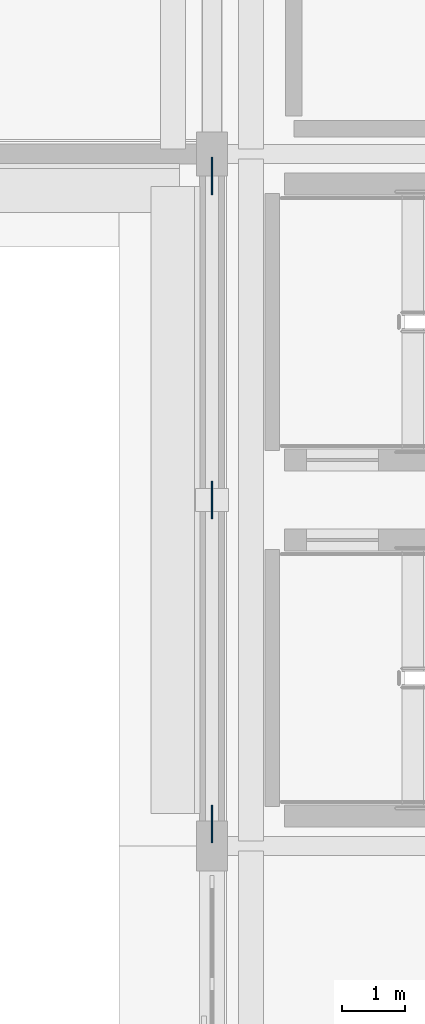
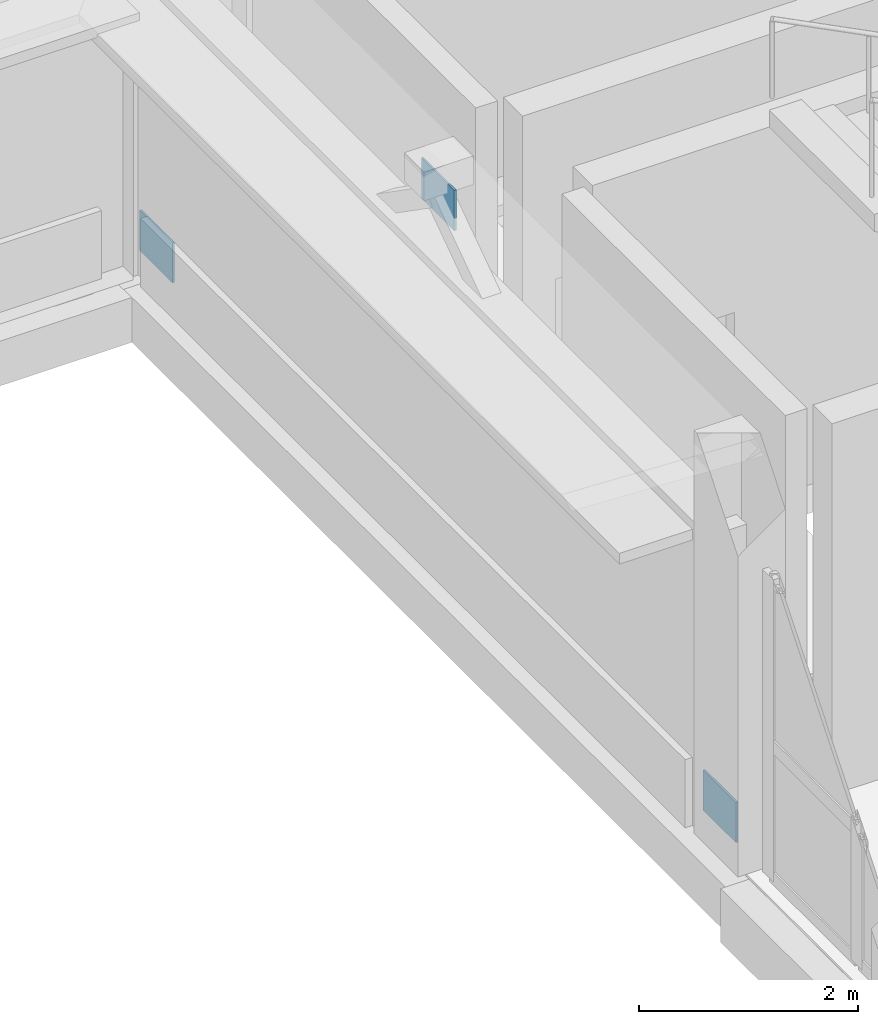
# One storey, part 76 of 118: 3 plates.
"""IFC4 building model written with IfcOpenShell, lengths in metres."""

from ifc_helpers import new_model, si_unit, direction, frame, origin, origin_2d, place, context, subcontext, project, spatial, rectangle, extrude, material, layer, layer_set, type_object, element, save


model = new_model("IFC4")

# Units and contexts
model_context = context("Model", 3, precision=1e-05, world=origin(), true_north=direction((0.0, 1.0)))
body_context = subcontext(model_context, "Body", "Model", "MODEL_VIEW")
ifc_project = project(units=[si_unit("LENGTHUNIT", "METRE"), si_unit("AREAUNIT", "SQUARE_METRE"), si_unit("VOLUMEUNIT", "CUBIC_METRE"), si_unit("PLANEANGLEUNIT", "RADIAN"), si_unit("MASSUNIT", "GRAM", prefix="KILO")], contexts=[model_context])

# Site, building, storey
site_placement = place(None, origin())
site = spatial("IfcSite", under=ifc_project, at=site_placement, CompositionType="ELEMENT")
building_placement = place(site_placement, origin())
building = spatial("IfcBuilding", under=site, at=building_placement, Name="Luwafu Chhajja Arena", CompositionType="ELEMENT")
storey_placement = place(building_placement, frame((0.0, 0.0, 10.199951171875)))
storey = spatial("IfcBuildingStorey", under=building, at=storey_placement, Name="L02", CompositionType="ELEMENT", Elevation=10.199951171875)

# Plates
ifc_material = material(Name="Steel S355", Category="steel")
ifc_layer = layer(ifc_material, 0.02197265625, Name="Steel S355")
ifc_layer_set = layer_set([ifc_layer], Name="Steel S355")
plate_type = type_object("IfcPlateType", Name="Lateral Brace Gusset Plate BN-1", PredefinedType="USERDEFINED", material=ifc_layer_set)
for number, where, z_axis, x_axis, name in (
    (1, (34.0, 82.5, 3.73193359375), (0.0, 0.0, 1.0), (1.0, 0.0, 0.0), "L02 Chevron Apex Gusset Plate BN-1 14"),
    (2, (34.0, 77.35009765625, 0.02490234375), (0.0, 0.0, 1.0), (1.0, 0.0, 0.0), "L02 Brace Base Gusset BN-1 14A"),
    (3, (34.0, 87.64990234375, 0.02490234375), (0.0, 0.0, 1.0), (1.0, 0.0, 0.0), "L02 Brace Base Gusset BN-1 14B"),
):
    element("IfcPlate", number, at=place(storey_placement, frame(where, z_axis=z_axis, x_axis=x_axis)), inside=storey, type_object=plate_type, Name=name, ObjectType="GUSSET PLATE", PredefinedType="USERDEFINED", context=body_context, shape_type="SweptSolid", body=[
        extrude(rectangle(XDim=0.02197265625, YDim=0.60009765625, at=origin_2d()), origin(), (0.0, 0.0, 1.0), 0.449951171875),
    ])

save(model, "model.ifc")
